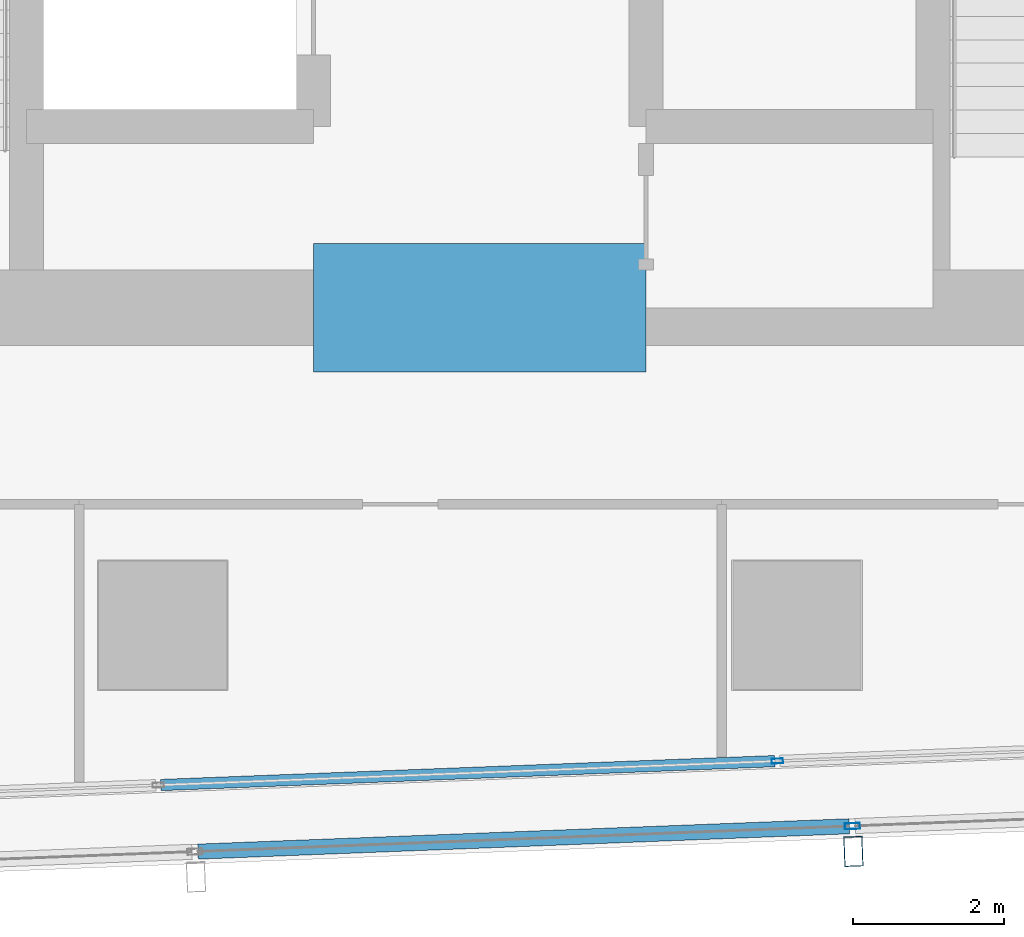
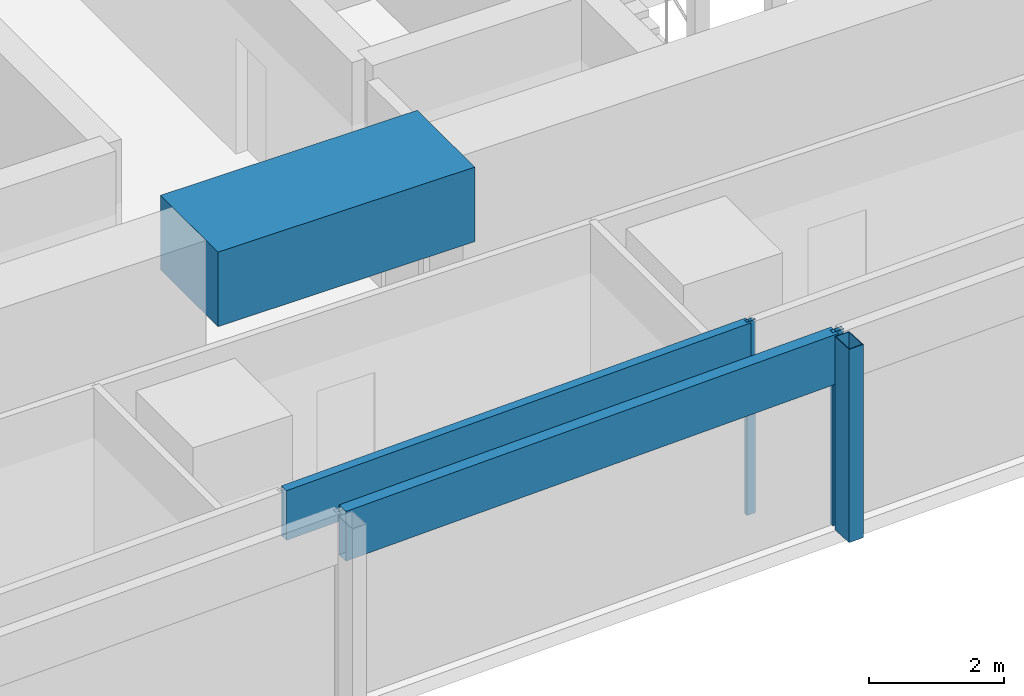
# One storey, part 9 of 40: 5 members, 1 beam, 2 elements without a shape of their own.
"""IFC4 building model written with IfcOpenShell, lengths in metres."""

from ifc_helpers import new_model, si_unit, direction, frame, origin, origin_2d, place, context, subcontext, project, spatial, rectangle, hollow_rectangle, extrude, material, material_profile, profile_set, type_object, element, aggregate, save


model = new_model("IFC4")

# Units and contexts
model_context = context("Model", 3, precision=1e-05, world=origin(), true_north=direction((0.0, 1.0)))
body_context = subcontext(model_context, "Body", "Model", "MODEL_VIEW")
ifc_project = project(units=[si_unit("LENGTHUNIT", "METRE"), si_unit("AREAUNIT", "SQUARE_METRE"), si_unit("VOLUMEUNIT", "CUBIC_METRE"), si_unit("PLANEANGLEUNIT", "RADIAN"), si_unit("MASSUNIT", "GRAM", prefix="KILO")], contexts=[model_context])

# Site, building, storey
site_placement = place(None, origin())
site = spatial("IfcSite", under=ifc_project, at=site_placement, CompositionType="ELEMENT")
building_placement = place(site_placement, origin())
building = spatial("IfcBuilding", under=site, at=building_placement, Name="Rekha Terrace Tower", CompositionType="ELEMENT")
storey_placement = place(building_placement, frame((0.0, 0.0, 125.300048828125)))
storey = spatial("IfcBuildingStorey", under=building, at=storey_placement, Name="L31", CompositionType="ELEMENT", Elevation=125.300048828125)

# Curtain wall, member
ifc_material_1 = material(Name="Aluminium framing", Category="aluminium")
curtain_wall_type_1 = type_object("IfcCurtainWallType", Name="CW2 double skin outer glazing", PredefinedType="USERDEFINED", material=ifc_material_1)
curtain_wall_1_placement = place(storey_placement, origin())
curtain_wall_1 = element("IfcCurtainWall", 1, at=curtain_wall_1_placement, inside=storey, type_object=curtain_wall_type_1, Name="CW2 double skin outer glazing", ObjectType="DOUBLE SKIN OUTER GLAZING", PredefinedType="USERDEFINED")
ifc_material_2 = material(Name="Steel S355 with fluorocarbon finish", Category="steel")
ifc_material_profile_1 = material_profile(ifc_material_2, hollow_rectangle(XDim=0.25, YDim=0.39990234375, WallThickness=0.012451171875, at=origin_2d()), Name="RHS400x250x12.5")
ifc_profile_set_1 = profile_set([ifc_material_profile_1], Name="Steel S355 with fluorocarbon finish")
member_type_1 = type_object("IfcMemberType", Name="BL1 facade blade RHS 400 x 250", PredefinedType="USERDEFINED", material=ifc_profile_set_1)
member_1_placement = place(storey_placement, frame((42.747314453125, 13.802978515625, 0.0), z_axis=(0.0, 0.0, 1.0), x_axis=(0.999243494356, 0.038890088543, 0.0)))
member_1 = element("IfcMember", 2, at=member_1_placement, type_object=member_type_1, Name="Facade blade", ObjectType="FACADE BLADE", PredefinedType="USERDEFINED", context=body_context, shape_type="SweptSolid", body=[
    extrude(hollow_rectangle(XDim=0.25, YDim=0.39990234375, WallThickness=0.012451171875, at=origin_2d()), origin(), (0.0, 0.0, 1.0), 3.5),
])

# Curtain wall, members
curtain_wall_type_2 = type_object("IfcCurtainWallType", Name="CW1 double skin inner glazing", PredefinedType="USERDEFINED", material=ifc_material_1)
curtain_wall_2_placement = place(storey_placement, origin())
curtain_wall_2 = element("IfcCurtainWall", 3, at=curtain_wall_2_placement, inside=storey, type_object=curtain_wall_type_2, Name="CW1 double skin inner glazing", ObjectType="DOUBLE SKIN INNER GLAZING", PredefinedType="USERDEFINED")
ifc_material_3 = material(Name="Aluminium mullion section", Category="aluminium")
ifc_material_profile_2 = material_profile(ifc_material_3, hollow_rectangle(XDim=0.06494140625, YDim=0.14990234375, WallThickness=0.00390625, at=origin_2d()), Name="AL RHS 65x150")
ifc_profile_set_2 = profile_set([ifc_material_profile_2], Name="Aluminium mullion section")
member_type_2 = type_object("IfcMemberType", Name="CW1 mullion RHS 65 x 150", PredefinedType="MULLION", material=ifc_profile_set_2)
member_2_placement = place(storey_placement, frame((41.740234375, 14.999755859375, 0.0), z_axis=(0.0, 0.0, 1.0), x_axis=(-0.038889971345, 0.999243498917, 0.0)))
member_2 = element("IfcMember", 4, at=member_2_placement, type_object=member_type_2, Name="CW1 mullion 3", PredefinedType="MULLION", context=body_context, shape_type="SweptSolid", body=[
    extrude(hollow_rectangle(XDim=0.06494140625, YDim=0.14990234375, WallThickness=0.00390625, at=origin_2d()), origin(), (0.0, 0.0, 1.0), 3.5),
])
ifc_material_4 = material(Name="Insulated aluminium spandrel box", Category="aluminium")
ifc_material_profile_3 = material_profile(ifc_material_4, hollow_rectangle(XDim=0.14990234375, YDim=0.89990234375, WallThickness=0.0029296875, at=origin_2d()), Name="AL SPANDREL BOX 150x900")
ifc_profile_set_3 = profile_set([ifc_material_profile_3], Name="Insulated aluminium spandrel box")
member_type_3 = type_object("IfcMemberType", Name="CW1 spandrel transom 150 x 900", PredefinedType="USERDEFINED", material=ifc_profile_set_3)
member_3_placement = place(storey_placement, frame((33.576416015625, 14.68212890625, 3.050048828125), z_axis=(0.999243790362, 0.038882482205, 0.0), x_axis=(-0.038882482205, 0.999243790362, 0.0)))
member_3 = element("IfcMember", 5, at=member_3_placement, type_object=member_type_3, Name="CW1 spandrel transom 2", ObjectType="TRANSOM", PredefinedType="USERDEFINED", context=body_context, shape_type="SweptSolid", body=[
    extrude(hollow_rectangle(XDim=0.14990234375, YDim=0.89990234375, WallThickness=0.0029296875, at=origin_2d()), origin(), (0.0, 0.0, 1.0), 8.137451171875),
])
aggregate(curtain_wall_2, [member_2, member_3])

# Member
ifc_material_profile_4 = material_profile(ifc_material_3, hollow_rectangle(XDim=0.080078125, YDim=0.199951171875, WallThickness=0.00390625, at=origin_2d()), Name="AL RHS 80x200")
ifc_profile_set_4 = profile_set([ifc_material_profile_4], Name="Aluminium mullion section")
member_type_4 = type_object("IfcMemberType", Name="CW2 mullion RHS 80 x 200", PredefinedType="MULLION", material=ifc_profile_set_4)
member_4_placement = place(storey_placement, frame((42.734130859375, 14.137939453125, 0.0), z_axis=(0.0, 0.0, 1.0), x_axis=(-0.038889971345, 0.999243498917, 0.0)))
member_4 = element("IfcMember", 6, at=member_4_placement, type_object=member_type_4, Name="CW2 mullion 3", PredefinedType="MULLION", context=body_context, shape_type="SweptSolid", body=[
    extrude(hollow_rectangle(XDim=0.080078125, YDim=0.199951171875, WallThickness=0.00390625, at=origin_2d()), origin(), (0.0, 0.0, 1.0), 3.5),
])

ifc_material_profile_5 = material_profile(ifc_material_4, hollow_rectangle(XDim=0.199951171875, YDim=0.89990234375, WallThickness=0.0029296875, at=origin_2d()), Name="AL SPANDREL BOX 200x900")
ifc_profile_set_5 = profile_set([ifc_material_profile_5], Name="Insulated aluminium spandrel box")
member_type_5 = type_object("IfcMemberType", Name="CW2 spandrel transom 200 x 900", PredefinedType="USERDEFINED", material=ifc_profile_set_5)
member_5_placement = place(storey_placement, frame((34.069091796875, 13.800537109375, 3.050048828125), z_axis=(0.999243438523, 0.038891523097, 0.0), x_axis=(-0.038891523097, 0.999243438523, 0.0)))
member_5 = element("IfcMember", 7, at=member_5_placement, type_object=member_type_5, Name="CW2 spandrel transom 2", ObjectType="TRANSOM", PredefinedType="USERDEFINED", context=body_context, shape_type="SweptSolid", body=[
    extrude(hollow_rectangle(XDim=0.199951171875, YDim=0.89990234375, WallThickness=0.0029296875, at=origin_2d()), origin(), (0.0, 0.0, 1.0), 8.631591796875),
])

aggregate(curtain_wall_1, [member_4, member_5, member_1])

# Beam
ifc_material_5 = material(Name="Concrete M70", Category="concrete")
ifc_material_profile_6 = material_profile(ifc_material_5, rectangle(XDim=1.699951171875, YDim=1.35009765625, at=origin_2d()), Name="RC 1700x1350")
ifc_profile_set_6 = profile_set([ifc_material_profile_6], Name="Concrete M70")
beam_type = type_object("IfcBeamType", Name="LB2A 1700x1350 diagonally reinforced coupling beam", PredefinedType="LINTEL", material=ifc_profile_set_6)
beam_placement = place(storey_placement, frame((35.60009765625, 21.0, 3.074951171875), z_axis=(1.0, 0.0, 0.0), x_axis=(0.0, 1.0, 0.0)))
element("IfcBeam", 8, at=beam_placement, inside=storey, type_object=beam_type, Name="Coupling beam LB2A S L31", PredefinedType="LINTEL", context=body_context, shape_type="SweptSolid", body=[
    extrude(rectangle(XDim=1.699951171875, YDim=1.35009765625, at=origin_2d()), origin(), (0.0, 0.0, 1.0), 4.39990234375),
])

save(model, "model.ifc")
